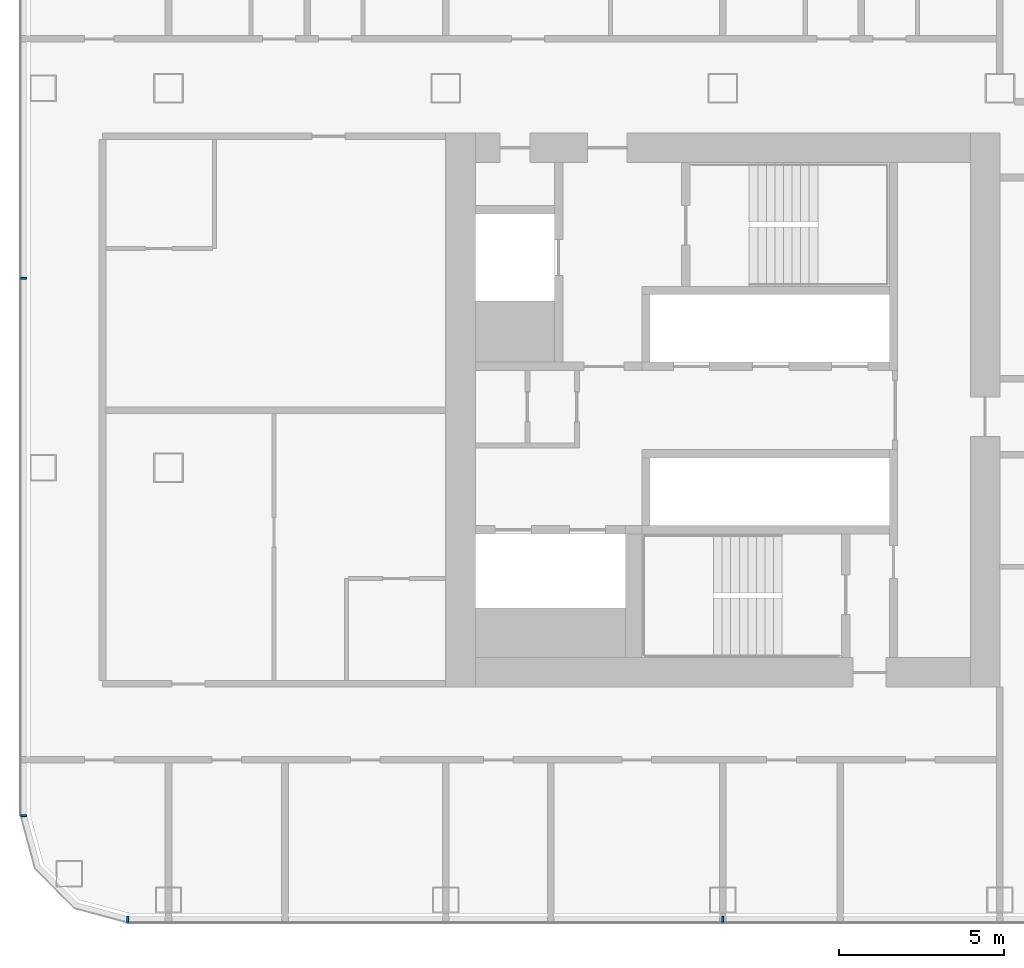
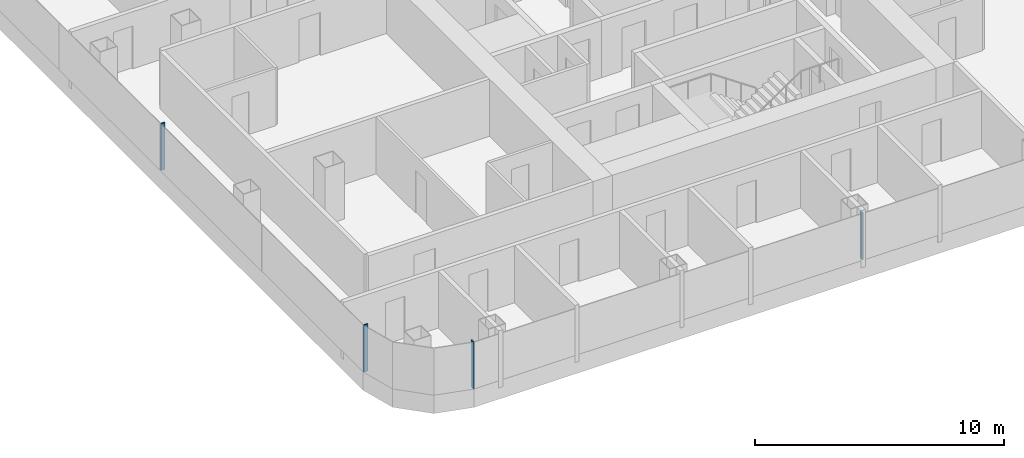
# One storey, part 2 of 29: 4 members, 2 elements without a shape of their own.
"""IFC4 building model written with IfcOpenShell, lengths in metres."""

from ifc_helpers import new_model, si_unit, direction, frame, origin, origin_2d, place, context, subcontext, project, spatial, rectangle, extrude, material, layer, layer_set, material_profile, profile_set, type_object, element, aggregate, save


model = new_model("IFC4")

# Units and contexts
model_context = context("Model", 3, precision=1e-05, world=origin(), true_north=direction((0.0, 1.0)))
body_context = subcontext(model_context, "Body", "Model", "MODEL_VIEW")
ifc_project = project(units=[si_unit("LENGTHUNIT", "METRE"), si_unit("AREAUNIT", "SQUARE_METRE"), si_unit("VOLUMEUNIT", "CUBIC_METRE"), si_unit("PLANEANGLEUNIT", "RADIAN"), si_unit("MASSUNIT", "GRAM", prefix="KILO")], contexts=[model_context])

# Site, building, storey
site_placement = place(None, origin())
site = spatial("IfcSite", under=ifc_project, at=site_placement, CompositionType="ELEMENT")
building_placement = place(site_placement, origin())
building = spatial("IfcBuilding", under=site, at=building_placement, Name="Hakoniwa Tower and Hamabe Station Hall", CompositionType="ELEMENT")
storey_placement = place(building_placement, frame((0.0, 0.0, 97.800048828125)))
storey = spatial("IfcBuildingStorey", under=building, at=storey_placement, Name="L27", CompositionType="ELEMENT", Elevation=97.800048828125)

# Curtain wall, members
ifc_material_1 = material(Name="Dark low-e laminated glass", Category="glass")
ifc_layer = layer(ifc_material_1, 0.199951171875)
ifc_layer_set = layer_set([ifc_layer], Name="CW-1 UNITISED GUEST")
curtain_wall_type = type_object("IfcCurtainWallType", Name="CW-1 UNITISED GUEST", PredefinedType="NOTDEFINED", material=ifc_layer_set)
curtain_wall_1_placement = place(storey_placement, origin())
curtain_wall_1 = element("IfcCurtainWall", 1, at=curtain_wall_1_placement, inside=storey, type_object=curtain_wall_type, Name="CW-1 curtain wall", PredefinedType="NOTDEFINED")
ifc_material_2 = material(Name="Aluminium 6063-T5 black anodised", Category="aluminium")
ifc_material_profile = material_profile(ifc_material_2, rectangle(XDim=0.06005859375, YDim=0.179931640625, at=origin_2d()), Name="CW-1 MULLION 60X180")
ifc_profile_set = profile_set([ifc_material_profile], Name="Aluminium 6063-T5 black anodised")
member_type = type_object("IfcMemberType", Name="CW-1 MULLION 60X180", PredefinedType="MULLION", material=ifc_profile_set)
member_1_placement = place(storey_placement, frame((-46.382080078125, 4.0, 0.349853515625), z_axis=(0.0, 0.0, 1.0), x_axis=(0.0, -1.0, 0.0)))
member_1 = element("IfcMember", 2, at=member_1_placement, type_object=member_type, Name="CW-1 mullion", PredefinedType="MULLION", context=body_context, shape_type="SweptSolid", body=[
    extrude(rectangle(XDim=0.06005859375, YDim=0.179931640625, at=origin_2d()), origin(), (0.0, 0.0, 1.0), 2.300048828125),
])
member_2_placement = place(storey_placement, frame((-46.382080078125, -12.28955078125, 0.349853515625), z_axis=(0.0, 0.0, 1.0), x_axis=(0.0, -1.0, 0.0)))
member_2 = element("IfcMember", 3, at=member_2_placement, type_object=member_type, Name="CW-1 mullion", PredefinedType="MULLION", context=body_context, shape_type="SweptSolid", body=[
    extrude(rectangle(XDim=0.06005859375, YDim=0.179931640625, at=origin_2d()), origin(), (0.0, 0.0, 1.0), 2.300048828125),
])
aggregate(curtain_wall_1, [member_1, member_2])

curtain_wall_2_placement = place(storey_placement, origin())
curtain_wall_2 = element("IfcCurtainWall", 4, at=curtain_wall_2_placement, inside=storey, type_object=curtain_wall_type, Name="CW-1 curtain wall", PredefinedType="NOTDEFINED")
member_3_placement = place(storey_placement, frame((-43.239501953125, -15.431884765625, 0.349853515625), z_axis=(0.0, 0.0, 1.0), x_axis=(1.0, 0.0, 0.0)))
member_3 = element("IfcMember", 5, at=member_3_placement, type_object=member_type, Name="CW-1 mullion", PredefinedType="MULLION", context=body_context, shape_type="SweptSolid", body=[
    extrude(rectangle(XDim=0.06005859375, YDim=0.179931640625, at=origin_2d()), origin(), (0.0, 0.0, 1.0), 2.300048828125),
])
member_4_placement = place(storey_placement, frame((-25.199951171875, -15.431884765625, 0.349853515625), z_axis=(0.0, 0.0, 1.0), x_axis=(1.0, 0.0, 0.0)))
member_4 = element("IfcMember", 6, at=member_4_placement, type_object=member_type, Name="CW-1 mullion", PredefinedType="MULLION", context=body_context, shape_type="SweptSolid", body=[
    extrude(rectangle(XDim=0.06005859375, YDim=0.179931640625, at=origin_2d()), origin(), (0.0, 0.0, 1.0), 2.300048828125),
])
aggregate(curtain_wall_2, [member_3, member_4])

save(model, "model.ifc")
